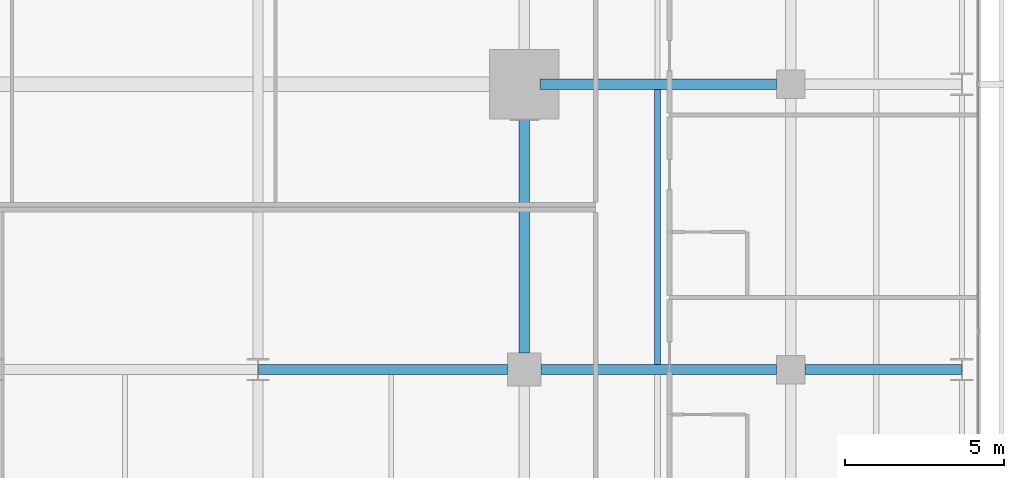
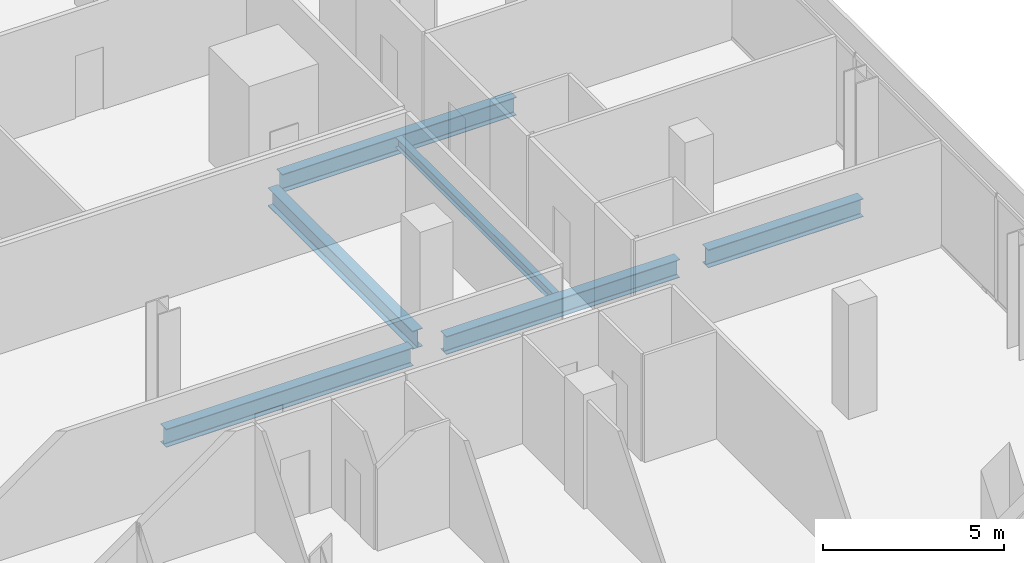
# One storey, part 18 of 40: 6 beams.
"""IFC4 building model written with IfcOpenShell, lengths in metres."""

from ifc_helpers import new_model, si_unit, direction, frame, origin, origin_2d, place, context, subcontext, project, spatial, i_section, extrude, material, material_profile, profile_set, type_object, element, save


model = new_model("IFC4")

# Units and contexts
model_context = context("Model", 3, precision=1e-05, world=origin(), true_north=direction((0.0, 1.0)))
body_context = subcontext(model_context, "Body", "Model", "MODEL_VIEW")
ifc_project = project(units=[si_unit("LENGTHUNIT", "METRE"), si_unit("AREAUNIT", "SQUARE_METRE"), si_unit("VOLUMEUNIT", "CUBIC_METRE"), si_unit("PLANEANGLEUNIT", "RADIAN"), si_unit("MASSUNIT", "GRAM", prefix="KILO")], contexts=[model_context])

# Site, building, storey
site_placement = place(None, origin())
site = spatial("IfcSite", under=ifc_project, at=site_placement, CompositionType="ELEMENT")
building_placement = place(site_placement, origin())
building = spatial("IfcBuilding", under=site, at=building_placement, Name="Maruvema Waterfront Hotel and Observation Tower", CompositionType="ELEMENT")
storey_placement = place(building_placement, frame((0.0, 0.0, 96.25)))
storey = spatial("IfcBuildingStorey", under=building, at=storey_placement, Name="L23", CompositionType="ELEMENT", Elevation=96.25)

# Beams
ifc_material_1 = material(Name="Steel ASTM A572 Grade 50", Category="steel")
ifc_material_profile_1 = material_profile(ifc_material_1, i_section(OverallWidth=0.323974609375, OverallDepth=0.611083984375, WebThickness=0.0126953125, FlangeThickness=0.01904296875, FilletRadius=0.01806640625, at=origin_2d()), Name="W610x155.0")
ifc_profile_set_1 = profile_set([ifc_material_profile_1], Name="Steel ASTM A572 Grade 50")
beam_type_1 = type_object("IfcBeamType", Name="Primary Floor Girder W610x155.0", PredefinedType="BEAM", material=ifc_profile_set_1)
beam_1_placement = place(storey_placement, frame((42.013916015625, 18.0, -0.54541015625), z_axis=(1.0, 0.0, 0.0), x_axis=(0.0, 1.0, 0.0)))
element("IfcBeam", 1, at=beam_1_placement, inside=storey, type_object=beam_type_1, Name="L23 Floor Girder EW-17", PredefinedType="BEAM", context=body_context, shape_type="SweptSolid", body=[
    extrude(i_section(OverallWidth=0.323974609375, OverallDepth=0.611083984375, WebThickness=0.0126953125, FlangeThickness=0.01904296875, FilletRadius=0.01806640625, at=origin_2d()), origin(), (0.0, 0.0, 1.0), 7.861083984375),
])
beam_2_placement = place(storey_placement, frame((50.925048828125, 18.0, -0.54541015625), z_axis=(1.0, 0.0, 0.0), x_axis=(0.0, 1.0, 0.0)))
element("IfcBeam", 2, at=beam_2_placement, inside=storey, type_object=beam_type_1, Name="L23 Floor Girder EW-18", PredefinedType="BEAM", context=body_context, shape_type="SweptSolid", body=[
    extrude(i_section(OverallWidth=0.323974609375, OverallDepth=0.611083984375, WebThickness=0.0126953125, FlangeThickness=0.01904296875, FilletRadius=0.01806640625, at=origin_2d()), origin(), (0.0, 0.0, 1.0), 7.425048828125),
])
beam_3_placement = place(storey_placement, frame((59.25, 18.0, -0.54541015625), z_axis=(1.0, 0.0, 0.0), x_axis=(0.0, 1.0, 0.0)))
element("IfcBeam", 3, at=beam_3_placement, inside=storey, type_object=beam_type_1, Name="L23 Floor Girder EW-19", PredefinedType="BEAM", context=body_context, shape_type="SweptSolid", body=[
    extrude(i_section(OverallWidth=0.323974609375, OverallDepth=0.611083984375, WebThickness=0.0126953125, FlangeThickness=0.01904296875, FilletRadius=0.01806640625, at=origin_2d()), origin(), (0.0, 0.0, 1.0), 4.93603515625),
])
beam_4_placement = place(storey_placement, frame((50.89990234375, 27.0, -0.54541015625), z_axis=(1.0, 0.0, 0.0), x_axis=(0.0, 1.0, 0.0)))
element("IfcBeam", 4, at=beam_4_placement, inside=storey, type_object=beam_type_1, Name="L23 Floor Girder EW-23", PredefinedType="BEAM", context=body_context, shape_type="SweptSolid", body=[
    extrude(i_section(OverallWidth=0.323974609375, OverallDepth=0.611083984375, WebThickness=0.0126953125, FlangeThickness=0.01904296875, FilletRadius=0.01806640625, at=origin_2d()), origin(), (0.0, 0.0, 1.0), 7.4501953125),
])
beam_5_placement = place(storey_placement, frame((50.39990234375, 18.52490234375, -0.54541015625), z_axis=(0.0, 1.0, 0.0), x_axis=(-1.0, 0.0, 0.0)))
element("IfcBeam", 5, at=beam_5_placement, inside=storey, type_object=beam_type_1, Name="L23 Floor Girder NS-24", PredefinedType="BEAM", context=body_context, shape_type="SweptSolid", body=[
    extrude(i_section(OverallWidth=0.323974609375, OverallDepth=0.611083984375, WebThickness=0.0126953125, FlangeThickness=0.01904296875, FilletRadius=0.01806640625, at=origin_2d()), origin(), (0.0, 0.0, 1.0), 7.97509765625),
])
ifc_material_2 = material(Name="Steel ASTM A572 Grade 50", Category="steel")
ifc_material_profile_2 = material_profile(ifc_material_2, i_section(OverallWidth=0.202880859375, OverallDepth=0.346923828125, WebThickness=0.0078125, FlangeThickness=0.013427734375, FilletRadius=0.014892578125, at=origin_2d()), Name="W360x64.0")
ifc_profile_set_2 = profile_set([ifc_material_profile_2], Name="Steel ASTM A572 Grade 50")
beam_type_2 = type_object("IfcBeamType", Name="Secondary Floor Joist W360x64.0", PredefinedType="JOIST", material=ifc_profile_set_2)
beam_6_placement = place(storey_placement, frame((54.60009765625, 18.162109375, -0.41357421875), z_axis=(0.0, 1.0, 0.0), x_axis=(-1.0, 0.0, 0.0)))
element("IfcBeam", 6, at=beam_6_placement, inside=storey, type_object=beam_type_2, Name="L23 Secondary Floor Joist JS-18", PredefinedType="JOIST", context=body_context, shape_type="SweptSolid", body=[
    extrude(i_section(OverallWidth=0.202880859375, OverallDepth=0.346923828125, WebThickness=0.0078125, FlangeThickness=0.013427734375, FilletRadius=0.014892578125, at=origin_2d()), origin(), (0.0, 0.0, 1.0), 8.67578125),
])

save(model, "model.ifc")
